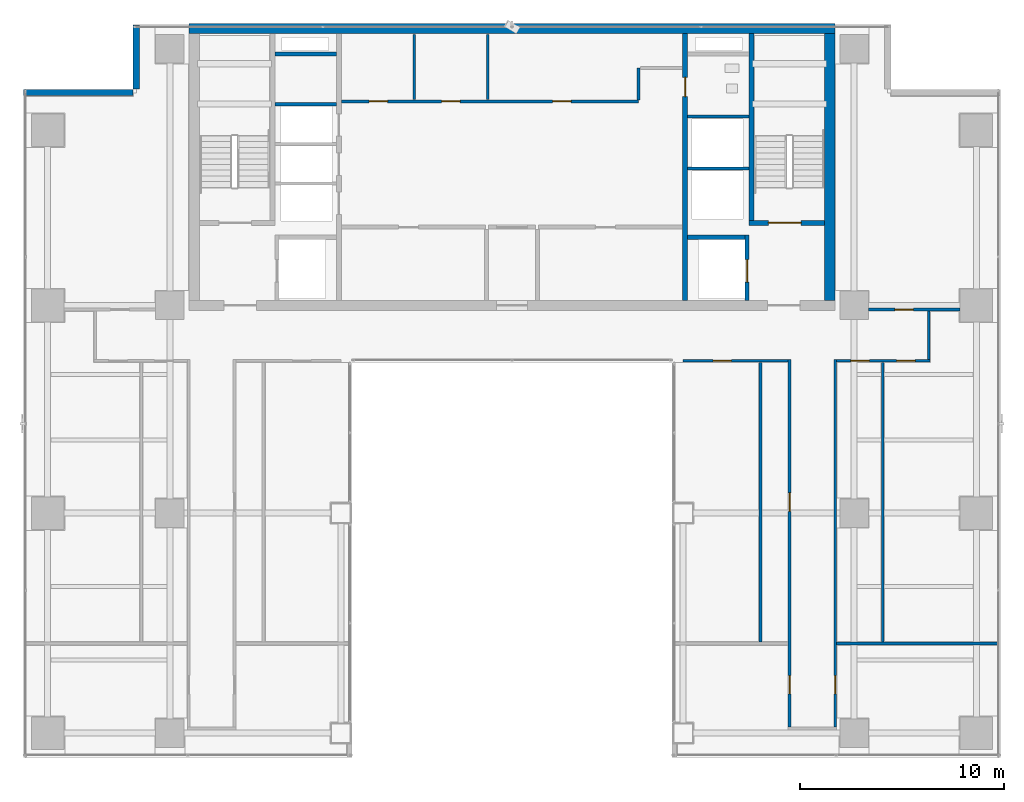
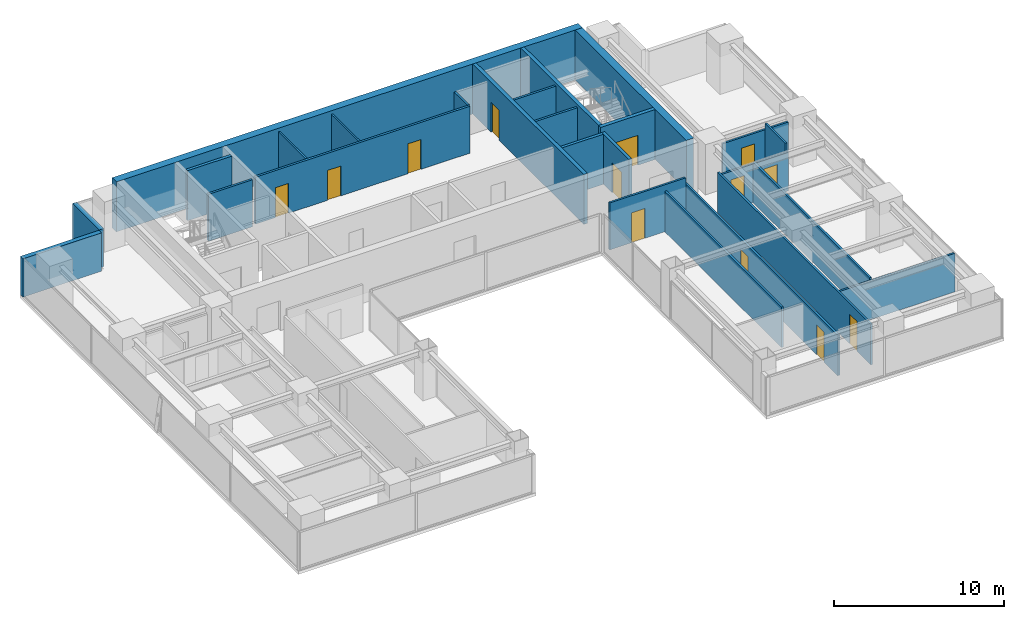
# One storey, part 25 of 29: 26 walls, 13 doors, 13 openings.
"""IFC4 building model written with IfcOpenShell, lengths in metres."""

from ifc_helpers import new_model, si_unit, direction, frame, frame_2d, origin, place, context, subcontext, project, spatial, rectangle, extrude, source, transform, mapped, material, layer, layer_set, type_object, element, fill, save


model = new_model("IFC4")

# Units and contexts
model_context = context("Model", 3, precision=1e-05, world=origin(), true_north=direction((0.0, 1.0)))
body_context = subcontext(model_context, "Body", "Model", "MODEL_VIEW")
ifc_project = project(units=[si_unit("LENGTHUNIT", "METRE"), si_unit("AREAUNIT", "SQUARE_METRE"), si_unit("VOLUMEUNIT", "CUBIC_METRE"), si_unit("PLANEANGLEUNIT", "RADIAN"), si_unit("MASSUNIT", "GRAM", prefix="KILO")], contexts=[model_context])

# Site, building, storey
site_placement = place(None, origin())
site = spatial("IfcSite", under=ifc_project, at=site_placement, CompositionType="ELEMENT")
building_placement = place(site_placement, origin())
building = spatial("IfcBuilding", under=site, at=building_placement, Name="Sumidabori Civic Tower", CompositionType="ELEMENT")
storey_placement = place(building_placement, frame((0.0, 0.0, 203.60009765625)))
storey = spatial("IfcBuildingStorey", under=building, at=storey_placement, Name="L52", CompositionType="ELEMENT", Elevation=203.60009765625)

# Walls
ifc_material_1 = material(Name="Concrete C50/60", Category="concrete")
ifc_layer_1 = layer(ifc_material_1, 0.199951171875, Name="Concrete C50/60")
ifc_layer_set_1 = layer_set([ifc_layer_1], Name="Concrete C50/60")
wall_type_1 = type_object("IfcWallType", Name="WL-SHAFT-200", PredefinedType="SHEAR", material=ifc_layer_set_1)
shared_shape_1 = source(origin(), body_context, "Body", "SweptSolid", [
    extrude(rectangle(XDim=2.824951171875, YDim=0.199951171875, at=frame_2d((1.41259765625, 0.0))), origin(), (0.0, 0.0, 1.0), 3.599853515625),
])
wall_1_placement = place(storey_placement, frame((8.625, 13.550048828125, 0.0), z_axis=(0.0, 0.0, 1.0), x_axis=(1.0, 0.0, 0.0)))
element("IfcWall", 1, at=wall_1_placement, inside=storey, type_object=wall_type_1, Name="Core Shear Wall L52 EL2-N", PredefinedType="SHEAR", context=body_context, shape_type="MappedRepresentation", body=[
    mapped(shared_shape_1, transform((0.0, 0.0, 0.0), x_axis=(1.0, 0.0, 0.0), y_axis=(0.0, 1.0, 0.0), z_axis=(0.0, 0.0, 1.0), scale=1.0)),
])
shared_shape_2 = source(origin(), body_context, "Body", "SweptSolid", [
    extrude(rectangle(XDim=3.02001953125, YDim=0.199951171875, at=frame_2d((1.510009765625, 0.0))), origin(), (0.0, 0.0, 1.0), 3.599853515625),
])
wall_2_placement = place(storey_placement, frame((-11.64501953125, 22.550048828125, 0.0), z_axis=(0.0, 0.0, 1.0), x_axis=(1.0, 0.0, 0.0)))
element("IfcWall", 2, at=wall_2_placement, inside=storey, type_object=wall_type_1, Name="Core Shear Wall L52 RIS1-S", PredefinedType="SHEAR", context=body_context, shape_type="MappedRepresentation", body=[
    mapped(shared_shape_2, transform((0.0, 0.0, 0.0), x_axis=(1.0, 0.0, 0.0), y_axis=(0.0, 1.0, 0.0), z_axis=(0.0, 0.0, 1.0), scale=1.0)),
])
ifc_layer_2 = layer(ifc_material_1, 0.5, Name="Concrete C50/60")
ifc_layer_set_2 = layer_set([ifc_layer_2], Name="Concrete C50/60")
wall_type_2 = type_object("IfcWallType", Name="WL-CORE-500", PredefinedType="SHEAR", material=ifc_layer_set_2)
shared_shape_3 = source(origin(), body_context, "Body", "SweptSolid", [
    extrude(rectangle(XDim=31.7001953125, YDim=0.5, at=frame_2d((15.85009765625, 0.0))), origin(), (0.0, 0.0, 1.0), 3.599853515625),
])
wall_3_placement = place(storey_placement, frame((-15.85009765625, 23.800048828125, 0.0), z_axis=(0.0, 0.0, 1.0), x_axis=(1.0, 0.0, 0.0)))
element("IfcWall", 3, at=wall_3_placement, inside=storey, type_object=wall_type_2, Name="Core Shear Wall L52 N", PredefinedType="SHEAR", context=body_context, shape_type="MappedRepresentation", body=[
    mapped(shared_shape_3, transform((0.0, 0.0, 0.0), x_axis=(1.0, 0.0, 0.0), y_axis=(0.0, 1.0, 0.0), z_axis=(0.0, 0.0, 1.0), scale=1.0)),
])
shared_shape_4 = source(origin(), body_context, "Body", "SweptSolid", [
    extrude(rectangle(XDim=13.10009765625, YDim=0.5, at=frame_2d((6.550048828125, 0.0))), origin(), (0.0, 0.0, 1.0), 3.599853515625),
])
wall_4_placement = place(storey_placement, frame((15.60009765625, 10.449951171875, 0.0), z_axis=(0.0, 0.0, 1.0), x_axis=(0.0, 1.0, 0.0)))
element("IfcWall", 4, at=wall_4_placement, inside=storey, type_object=wall_type_2, Name="Core Shear Wall L52 E", PredefinedType="SHEAR", context=body_context, shape_type="MappedRepresentation", body=[
    mapped(shared_shape_4, transform((0.0, 0.0, 0.0), x_axis=(1.0, 0.0, 0.0), y_axis=(0.0, 1.0, 0.0), z_axis=(0.0, 0.0, 1.0), scale=1.0)),
])

# Wall, opening, door
ifc_layer_3 = layer(ifc_material_1, 0.25, Name="Concrete C50/60")
ifc_layer_set_3 = layer_set([ifc_layer_3], Name="Concrete C50/60")
wall_type_3 = type_object("IfcWallType", Name="WL-SHAFT-250", PredefinedType="SHEAR", material=ifc_layer_set_3)
shared_shape_5 = source(origin(), body_context, "Body", "SweptSolid", [
    extrude(rectangle(XDim=13.10009765625, YDim=0.25, at=frame_2d((6.550048828125, 0.0))), origin(), (0.0, 0.0, 1.0), 3.599853515625),
])
wall_5_placement = place(storey_placement, frame((8.5, 10.449951171875, 0.0), z_axis=(0.0, 0.0, 1.0), x_axis=(0.0, 1.0, 0.0)))
wall_5 = element("IfcWall", 5, at=wall_5_placement, inside=storey, type_object=wall_type_3, Name="Core Shear Wall L52 WEB-E", PredefinedType="SHEAR", context=body_context, shape_type="MappedRepresentation", body=[
    mapped(shared_shape_5, transform((0.0, 0.0, 0.0), x_axis=(1.0, 0.0, 0.0), y_axis=(0.0, 1.0, 0.0), z_axis=(0.0, 0.0, 1.0), scale=1.0)),
])
opening_1_placement = place(wall_5_placement, frame((10.0, 0.0, 0.0)))
opening_1 = element("IfcOpeningElement", 6, at=opening_1_placement, cuts=wall_5, Name="Opening DR-2", PredefinedType="OPENING", context=body_context, shape_type="SweptSolid", body=[
    extrude(rectangle(XDim=0.949951171875, YDim=2.14990234375, at=frame_2d((0.47509765625, 1.074951171875))), frame((0.0, 0.136962890625, 0.0), z_axis=(0.0, -1.0, 0.0), x_axis=(1.0, 0.0, 0.0)), (0.0, 0.0, 1.0), 0.27392578125),
])
ifc_material_2 = material(Name="Japanese Hinoki Timber", Category="wood")
door_type_1 = type_object("IfcDoorType", Name="DR-INT-950", OperationType="NOTDEFINED", PredefinedType="DOOR", material=ifc_material_2)
shared_shape_6 = source(origin(), body_context, "Body", "SweptSolid", [
    extrude(rectangle(XDim=0.949951171875, YDim=2.14990234375, at=frame_2d((0.47509765625, 1.074951171875))), frame((0.0, 0.02490234375, 0.0), z_axis=(0.0, -1.0, 0.0), x_axis=(1.0, 0.0, 0.0)), (0.0, 0.0, 1.0), 0.050048828125),
])
door_1_placement = place(opening_1_placement, origin())
door_1 = element("IfcDoor", 7, at=door_1_placement, inside=storey, type_object=door_type_1, Name="Door DR:L52:WC-ACC", OperationType="SINGLE_SWING_RIGHT", OverallHeight=2.14990234375, OverallWidth=0.949951171875, PredefinedType="DOOR", context=body_context, shape_type="MappedRepresentation", body=[
    mapped(shared_shape_6, transform((0.0, 0.0, 0.0), x_axis=(1.0, 0.0, 0.0), y_axis=(0.0, 1.0, 0.0), z_axis=(0.0, 0.0, 1.0), scale=1.0)),
])
fill(opening_1, door_1)

shared_shape_7 = source(origin(), body_context, "Body", "SweptSolid", [
    extrude(rectangle(XDim=3.705078125, YDim=0.25, at=frame_2d((1.8525390625, 0.0))), origin(), (0.0, 0.0, 1.0), 3.599853515625),
])
wall_6_placement = place(storey_placement, frame((11.64501953125, 14.25, 0.0), z_axis=(0.0, 0.0, 1.0), x_axis=(1.0, 0.0, 0.0)))
wall_6 = element("IfcWall", 8, at=wall_6_placement, inside=storey, type_object=wall_type_3, Name="Core Shear Wall L52 ST2-S", PredefinedType="SHEAR", context=body_context, shape_type="MappedRepresentation", body=[
    mapped(shared_shape_7, transform((0.0, 0.0, 0.0), x_axis=(1.0, 0.0, 0.0), y_axis=(0.0, 1.0, 0.0), z_axis=(0.0, 0.0, 1.0), scale=1.0)),
])
opening_2_placement = place(wall_6_placement, frame((0.949951171875, 0.0, 0.0)))
opening_2 = element("IfcOpeningElement", 9, at=opening_2_placement, cuts=wall_6, Name="Opening DR-FD4", PredefinedType="OPENING", context=body_context, shape_type="SweptSolid", body=[
    extrude(rectangle(XDim=1.60009765625, YDim=2.14990234375, at=frame_2d((0.800048828125, 1.074951171875))), frame((0.0, 0.136962890625, 0.0), z_axis=(0.0, -1.0, 0.0), x_axis=(1.0, 0.0, 0.0)), (0.0, 0.0, 1.0), 0.27392578125),
])
ifc_material_3 = material(Name="Steel SN490", Category="steel")
door_type_2 = type_object("IfcDoorType", Name="DR-FD4", OperationType="DOUBLE_DOOR_SINGLE_SWING", PredefinedType="DOOR", material=ifc_material_3)
shared_shape_8 = source(origin(), body_context, "Body", "SweptSolid", [
    extrude(rectangle(XDim=1.60009765625, YDim=2.14990234375, at=frame_2d((0.800048828125, 1.074951171875))), frame((0.0, 0.02490234375, 0.0), z_axis=(0.0, -1.0, 0.0), x_axis=(1.0, 0.0, 0.0)), (0.0, 0.0, 1.0), 0.050048828125),
])
door_2_placement = place(opening_2_placement, origin())
door_2 = element("IfcDoor", 10, at=door_2_placement, inside=storey, type_object=door_type_2, Name="Door DR:L52:ST2", OperationType="DOUBLE_DOOR_SINGLE_SWING", OverallHeight=2.14990234375, OverallWidth=1.60009765625, PredefinedType="DOOR", context=body_context, shape_type="MappedRepresentation", body=[
    mapped(shared_shape_8, transform((0.0, 0.0, 0.0), x_axis=(1.0, 0.0, 0.0), y_axis=(0.0, 1.0, 0.0), z_axis=(0.0, 0.0, 1.0), scale=1.0)),
])
fill(opening_2, door_2)

# Wall
shared_shape_9 = source(origin(), body_context, "Body", "SweptSolid", [
    extrude(rectangle(XDim=9.175048828125, YDim=0.25, at=frame_2d((4.58740234375, 0.0))), origin(), (0.0, 0.0, 1.0), 3.599853515625),
])
wall_7_placement = place(storey_placement, frame((11.77001953125, 14.375, 0.0), z_axis=(0.0, 0.0, 1.0), x_axis=(0.0, 1.0, 0.0)))
element("IfcWall", 11, at=wall_7_placement, inside=storey, type_object=wall_type_3, Name="Core Shear Wall L52 ST2-W", PredefinedType="SHEAR", context=body_context, shape_type="MappedRepresentation", body=[
    mapped(shared_shape_9, transform((0.0, 0.0, 0.0), x_axis=(1.0, 0.0, 0.0), y_axis=(0.0, 1.0, 0.0), z_axis=(0.0, 0.0, 1.0), scale=1.0)),
])

# Wall, opening, door
shared_shape_10 = source(origin(), body_context, "Body", "SweptSolid", [
    extrude(rectangle(XDim=3.199951171875, YDim=0.199951171875, at=frame_2d((1.60009765625, 0.0))), origin(), (0.0, 0.0, 1.0), 3.599853515625),
])
wall_8_placement = place(storey_placement, frame((11.550048828125, 10.449951171875, 0.0), z_axis=(0.0, 0.0, 1.0), x_axis=(0.0, 1.0, 0.0)))
wall_8 = element("IfcWall", 12, at=wall_8_placement, inside=storey, type_object=wall_type_1, Name="Core Shear Wall L52 EL2-E", PredefinedType="SHEAR", context=body_context, shape_type="MappedRepresentation", body=[
    mapped(shared_shape_10, transform((0.0, 0.0, 0.0), x_axis=(1.0, 0.0, 0.0), y_axis=(0.0, 1.0, 0.0), z_axis=(0.0, 0.0, 1.0), scale=1.0)),
])
opening_3_placement = place(wall_8_placement, frame((0.89990234375, 0.0, 0.0)))
opening_3 = element("IfcOpeningElement", 13, at=opening_3_placement, cuts=wall_8, Name="Opening LD-2", PredefinedType="OPENING", context=body_context, shape_type="SweptSolid", body=[
    extrude(rectangle(XDim=1.10009765625, YDim=2.14990234375, at=frame_2d((0.550048828125, 1.074951171875))), frame((0.0, 0.11181640625, 0.0), z_axis=(0.0, -1.0, 0.0), x_axis=(1.0, 0.0, 0.0)), (0.0, 0.0, 1.0), 0.223876953125),
])
ifc_material_4 = material(Name="Stainless Steel Hairline Finish", Category="steel")
door_type_3 = type_object("IfcDoorType", Name="DR-LD2", OperationType="DOUBLE_DOOR_SLIDING", PredefinedType="DOOR", material=ifc_material_4)
shared_shape_11 = source(origin(), body_context, "Body", "SweptSolid", [
    extrude(rectangle(XDim=1.10009765625, YDim=2.14990234375, at=frame_2d((0.550048828125, 1.074951171875))), frame((0.0, 0.02490234375, 0.0), z_axis=(0.0, -1.0, 0.0), x_axis=(1.0, 0.0, 0.0)), (0.0, 0.0, 1.0), 0.050048828125),
])
door_3_placement = place(opening_3_placement, origin())
door_3 = element("IfcDoor", 14, at=door_3_placement, inside=storey, type_object=door_type_3, Name="Door DR:L52:LD-EL2", OperationType="DOUBLE_DOOR_SLIDING", OverallHeight=2.14990234375, OverallWidth=1.10009765625, PredefinedType="DOOR", context=body_context, shape_type="MappedRepresentation", body=[
    mapped(shared_shape_11, transform((0.0, 0.0, 0.0), x_axis=(1.0, 0.0, 0.0), y_axis=(0.0, 1.0, 0.0), z_axis=(0.0, 0.0, 1.0), scale=1.0)),
])
fill(opening_3, door_3)

# Walls
ifc_material_5 = material(Name="Precast concrete C40/50", Category="concrete")
ifc_layer_4 = layer(ifc_material_5, 0.300048828125, Name="Precast concrete C40/50")
ifc_layer_set_4 = layer_set([ifc_layer_4], Name="Precast concrete C40/50")
wall_type_4 = type_object("IfcWallType", Name="WL-EXT-POD300", PredefinedType="STANDARD", material=ifc_layer_set_4)
shared_shape_12 = source(origin(), body_context, "Body", "SweptSolid", [
    extrude(rectangle(XDim=5.35986328125, YDim=0.300048828125, at=frame_2d((2.679931640625, 0.0))), origin(), (0.0, 0.0, 1.0), 2.760009765625),
])
wall_9_placement = place(storey_placement, frame((-18.6201171875, 20.64990234375, 0.0), z_axis=(0.0, 0.0, 1.0), x_axis=(-1.0, 0.0, 0.0)))
element("IfcWall", 15, at=wall_9_placement, inside=storey, type_object=wall_type_4, Name="Notched Corner Spandrel Band L52-15", PredefinedType="STANDARD", context=body_context, shape_type="MappedRepresentation", body=[
    mapped(shared_shape_12, transform((0.0, 0.0, 0.0), x_axis=(1.0, 0.0, 0.0), y_axis=(0.0, 1.0, 0.0), z_axis=(0.0, 0.0, 1.0), scale=1.0)),
])
shared_shape_13 = source(origin(), body_context, "Body", "SweptSolid", [
    extrude(rectangle(XDim=3.159912109375, YDim=0.300048828125, at=frame_2d((1.580078125, 0.0))), origin(), (0.0, 0.0, 1.0), 2.760009765625),
])
wall_10_placement = place(storey_placement, frame((-18.449951171875, 23.97998046875, 0.0), z_axis=(0.0, 0.0, 1.0), x_axis=(0.0, -1.0, 0.0)))
element("IfcWall", 16, at=wall_10_placement, inside=storey, type_object=wall_type_4, Name="Notched Corner Spandrel Band L52-14", PredefinedType="STANDARD", context=body_context, shape_type="MappedRepresentation", body=[
    mapped(shared_shape_13, transform((0.0, 0.0, 0.0), x_axis=(1.0, 0.0, 0.0), y_axis=(0.0, 1.0, 0.0), z_axis=(0.0, 0.0, 1.0), scale=1.0)),
])
ifc_material_6 = material(Name="Gypsum Plasterboard Acoustic Partition")
ifc_layer_5 = layer(ifc_material_6, 0.14990234375, Name="Gypsum Plasterboard Acoustic Partition")
ifc_layer_set_5 = layer_set([ifc_layer_5], Name="Gypsum Plasterboard Acoustic Partition")
wall_type_5 = type_object("IfcWallType", Name="WL-PART-150", PredefinedType="PARTITIONING", material=ifc_layer_set_5)
shared_shape_14 = source(origin(), body_context, "Body", "SweptSolid", [
    extrude(rectangle(XDim=3.010009765625, YDim=0.14990234375, at=frame_2d((1.5048828125, 0.0))), origin(), (0.0, 0.0, 1.0), 3.3798828125),
])
for number, where, z_axis, x_axis, name in (
    (17, (-11.639892578125, 20.080078125, 0.0), (0.0, 0.0, 1.0), (1.0, 0.0, 0.0), "Interior Partition WL:L52:DIV-PLH3"),
    (18, (8.6298828125, 16.919921875, 0.0), (0.0, 0.0, 1.0), (1.0, 0.0, 0.0), "Interior Partition WL:L52:DIV-OBS1"),
    (19, (8.6298828125, 19.469970703125, 0.0), (0.0, 0.0, 1.0), (1.0, 0.0, 0.0), "Interior Partition WL:L52:DIV-OBS2"),
):
    element("IfcWall", number, at=place(storey_placement, frame(where, z_axis=z_axis, x_axis=x_axis)), inside=storey, type_object=wall_type_5, Name=name, PredefinedType="PARTITIONING", context=body_context, shape_type="MappedRepresentation", body=[
        mapped(shared_shape_14, transform((0.0, 0.0, 0.0), x_axis=(1.0, 0.0, 0.0), y_axis=(0.0, 1.0, 0.0), z_axis=(0.0, 0.0, 1.0), scale=1.0)),
    ])

# Wall, openings, doors
shared_shape_15 = source(origin(), body_context, "Body", "SweptSolid", [
    extrude(rectangle(XDim=14.590087890625, YDim=0.14990234375, at=frame_2d((7.294921875, 0.0))), origin(), (0.0, 0.0, 1.0), 3.3798828125),
])
wall_11_placement = place(storey_placement, frame((-8.3701171875, 20.219970703125, 0.0), z_axis=(0.0, 0.0, 1.0), x_axis=(1.0, 0.0, 0.0)))
wall_11 = element("IfcWall", 20, at=wall_11_placement, inside=storey, type_object=wall_type_5, Name="Interior Partition WL:L52:CBAND-M", PredefinedType="PARTITIONING", context=body_context, shape_type="MappedRepresentation", body=[
    mapped(shared_shape_15, transform((0.0, 0.0, 0.0), x_axis=(1.0, 0.0, 0.0), y_axis=(0.0, 1.0, 0.0), z_axis=(0.0, 0.0, 1.0), scale=1.0)),
])
opening_4_placement = place(wall_11_placement, frame((1.360107421875, 0.0, 0.0)))
opening_4 = element("IfcOpeningElement", 21, at=opening_4_placement, cuts=wall_11, Name="Opening DR-1", PredefinedType="OPENING", context=body_context, shape_type="SweptSolid", body=[
    extrude(rectangle(XDim=0.89990234375, YDim=2.14990234375, at=frame_2d((0.449951171875, 1.074951171875))), frame((0.0, 0.0869140625, 0.0), z_axis=(0.0, -1.0, 0.0), x_axis=(1.0, 0.0, 0.0)), (0.0, 0.0, 1.0), 0.173828125),
])
opening_5_placement = place(wall_11_placement, frame((4.919921875, 0.0, 0.0)))
opening_5 = element("IfcOpeningElement", 22, at=opening_5_placement, cuts=wall_11, Name="Opening DR-1", PredefinedType="OPENING", context=body_context, shape_type="SweptSolid", body=[
    extrude(rectangle(XDim=0.89990234375, YDim=2.14990234375, at=frame_2d((0.449951171875, 1.074951171875))), frame((0.0, 0.0869140625, 0.0), z_axis=(0.0, -1.0, 0.0), x_axis=(1.0, 0.0, 0.0)), (0.0, 0.0, 1.0), 0.173828125),
])
opening_6_placement = place(wall_11_placement, frame((10.3701171875, 0.0, 0.0)))
opening_6 = element("IfcOpeningElement", 23, at=opening_6_placement, cuts=wall_11, Name="Opening DR-1", PredefinedType="OPENING", context=body_context, shape_type="SweptSolid", body=[
    extrude(rectangle(XDim=0.89990234375, YDim=2.14990234375, at=frame_2d((0.449951171875, 1.074951171875))), frame((0.0, 0.0869140625, 0.0), z_axis=(0.0, -1.0, 0.0), x_axis=(1.0, 0.0, 0.0)), (0.0, 0.0, 1.0), 0.173828125),
])
door_type_4 = type_object("IfcDoorType", Name="DR-INT-900", OperationType="NOTDEFINED", PredefinedType="DOOR", material=ifc_material_2)
shared_shape_16 = source(origin(), body_context, "Body", "SweptSolid", [
    extrude(rectangle(XDim=0.89990234375, YDim=2.14990234375, at=frame_2d((0.449951171875, 1.074951171875))), frame((0.0, 0.02490234375, 0.0), z_axis=(0.0, -1.0, 0.0), x_axis=(1.0, 0.0, 0.0)), (0.0, 0.0, 1.0), 0.050048828125),
])
door_4_placement = place(opening_4_placement, origin())
door_4 = element("IfcDoor", 24, at=door_4_placement, inside=storey, type_object=door_type_4, Name="Door DR:L52:CB-1", OperationType="SINGLE_SWING_LEFT", OverallHeight=2.14990234375, OverallWidth=0.89990234375, PredefinedType="DOOR", context=body_context, shape_type="MappedRepresentation", body=[
    mapped(shared_shape_16, transform((0.0, 0.0, 0.0), x_axis=(1.0, 0.0, 0.0), y_axis=(0.0, 1.0, 0.0), z_axis=(0.0, 0.0, 1.0), scale=1.0)),
])
fill(opening_4, door_4)
door_5_placement = place(opening_5_placement, origin())
door_5 = element("IfcDoor", 25, at=door_5_placement, inside=storey, type_object=door_type_4, Name="Door DR:L52:CB-2", OperationType="SINGLE_SWING_RIGHT", OverallHeight=2.14990234375, OverallWidth=0.89990234375, PredefinedType="DOOR", context=body_context, shape_type="MappedRepresentation", body=[
    mapped(shared_shape_16, transform((0.0, 0.0, 0.0), x_axis=(1.0, 0.0, 0.0), y_axis=(0.0, 1.0, 0.0), z_axis=(0.0, 0.0, 1.0), scale=1.0)),
])
fill(opening_5, door_5)
door_6_placement = place(opening_6_placement, origin())
door_6 = element("IfcDoor", 26, at=door_6_placement, inside=storey, type_object=door_type_4, Name="Door DR:L52:CB-3", OperationType="SINGLE_SWING_LEFT", OverallHeight=2.14990234375, OverallWidth=0.89990234375, PredefinedType="DOOR", context=body_context, shape_type="MappedRepresentation", body=[
    mapped(shared_shape_16, transform((0.0, 0.0, 0.0), x_axis=(1.0, 0.0, 0.0), y_axis=(0.0, 1.0, 0.0), z_axis=(0.0, 0.0, 1.0), scale=1.0)),
])
fill(opening_6, door_6)

# Walls
shared_shape_17 = source(origin(), body_context, "Body", "SweptSolid", [
    extrude(rectangle(XDim=1.550048828125, YDim=0.14990234375, at=frame_2d((0.77490234375, 0.0))), origin(), (0.0, 0.0, 1.0), 3.3798828125),
])
wall_12_placement = place(storey_placement, frame((6.219970703125, 20.300048828125, 0.0), z_axis=(0.0, 0.0, 1.0), x_axis=(0.0, 1.0, 0.0)))
element("IfcWall", 27, at=wall_12_placement, inside=storey, type_object=wall_type_5, Name="Interior Partition WL:L52:CBAND-ME1", PredefinedType="PARTITIONING", context=body_context, shape_type="MappedRepresentation", body=[
    mapped(shared_shape_17, transform((0.0, 0.0, 0.0), x_axis=(1.0, 0.0, 0.0), y_axis=(0.0, 1.0, 0.0), z_axis=(0.0, 0.0, 1.0), scale=1.0)),
])
ifc_layer_6 = layer(ifc_material_6, 0.1201171875, Name="Gypsum Plasterboard Acoustic Partition")
ifc_layer_set_6 = layer_set([ifc_layer_6], Name="Gypsum Plasterboard Acoustic Partition")
wall_type_6 = type_object("IfcWallType", Name="WL-PART-120", PredefinedType="PARTITIONING", material=ifc_layer_set_6)
shared_shape_18 = source(origin(), body_context, "Body", "SweptSolid", [
    extrude(rectangle(XDim=3.18994140625, YDim=0.1201171875, at=frame_2d((1.594970703125, 0.0))), origin(), (0.0, 0.0, 1.0), 3.3798828125),
])
for number, where, z_axis, x_axis, name in (
    (28, (-4.800048828125, 20.320068359375, 0.0), (0.0, 0.0, 1.0), (0.0, 1.0, 0.0), "Interior Partition WL:L52:LV8-S1"),
    (29, (-1.199951171875, 20.320068359375, 0.0), (0.0, 0.0, 1.0), (0.0, 1.0, 0.0), "Interior Partition WL:L52:LV8-S2"),
):
    element("IfcWall", number, at=place(storey_placement, frame(where, z_axis=z_axis, x_axis=x_axis)), inside=storey, type_object=wall_type_6, Name=name, PredefinedType="PARTITIONING", context=body_context, shape_type="MappedRepresentation", body=[
        mapped(shared_shape_18, transform((0.0, 0.0, 0.0), x_axis=(1.0, 0.0, 0.0), y_axis=(0.0, 1.0, 0.0), z_axis=(0.0, 0.0, 1.0), scale=1.0)),
    ])

# Wall, openings, doors
ifc_layer_7 = layer(ifc_material_6, 0.135009765625, Name="Gypsum Plasterboard Acoustic Partition")
ifc_layer_set_7 = layer_set([ifc_layer_7], Name="Gypsum Plasterboard Acoustic Partition")
wall_type_7 = type_object("IfcWallType", Name="WL-PART-135", PredefinedType="PARTITIONING", material=ifc_layer_set_7)
shared_shape_19 = source(origin(), body_context, "Body", "SweptSolid", [
    extrude(rectangle(XDim=4.599853515625, YDim=0.135009765625, at=frame_2d((2.2998046875, 0.0))), origin(), (0.0, 0.0, 1.0), 2.764892578125),
])
wall_13_placement = place(storey_placement, frame((15.93505859375, 7.482421875, 0.0), z_axis=(0.0, 0.0, 1.0), x_axis=(1.0, 0.0, 0.0)))
wall_13 = element("IfcWall", 30, at=wall_13_placement, inside=storey, type_object=wall_type_7, Name="Interior Partition WL:L52:CORR-SEO", PredefinedType="PARTITIONING", context=body_context, shape_type="MappedRepresentation", body=[
    mapped(shared_shape_19, transform((0.0, 0.0, 0.0), x_axis=(1.0, 0.0, 0.0), y_axis=(0.0, 1.0, 0.0), z_axis=(0.0, 0.0, 1.0), scale=1.0)),
])
opening_7_placement = place(wall_13_placement, frame((2.956298828125, 0.0, 0.0)))
opening_7 = element("IfcOpeningElement", 31, at=opening_7_placement, cuts=wall_13, Name="Opening DR-1", PredefinedType="OPENING", context=body_context, shape_type="SweptSolid", body=[
    extrude(rectangle(XDim=0.89990234375, YDim=2.14990234375, at=frame_2d((0.449951171875, 1.074951171875))), frame((0.0, 0.07958984375, 0.0), z_axis=(0.0, -1.0, 0.0), x_axis=(1.0, 0.0, 0.0)), (0.0, 0.0, 1.0), 0.158935546875),
])
opening_8_placement = place(wall_13_placement, frame((0.708740234375, 0.0, 0.0)))
opening_8 = element("IfcOpeningElement", 32, at=opening_8_placement, cuts=wall_13, Name="Opening DR-1", PredefinedType="OPENING", context=body_context, shape_type="SweptSolid", body=[
    extrude(rectangle(XDim=0.89990234375, YDim=2.14990234375, at=frame_2d((0.449951171875, 1.074951171875))), frame((0.0, 0.07958984375, 0.0), z_axis=(0.0, -1.0, 0.0), x_axis=(1.0, 0.0, 0.0)), (0.0, 0.0, 1.0), 0.158935546875),
])
door_7_placement = place(opening_7_placement, origin())
door_7 = element("IfcDoor", 33, at=door_7_placement, inside=storey, type_object=door_type_4, Name="Door DR:L52:D04", OperationType="SINGLE_SWING_RIGHT", OverallHeight=2.14990234375, OverallWidth=0.89990234375, PredefinedType="DOOR", context=body_context, shape_type="MappedRepresentation", body=[
    mapped(shared_shape_16, transform((0.0, 0.0, 0.0), x_axis=(1.0, 0.0, 0.0), y_axis=(0.0, 1.0, 0.0), z_axis=(0.0, 0.0, 1.0), scale=1.0)),
])
fill(opening_7, door_7)
door_8_placement = place(opening_8_placement, origin())
door_8 = element("IfcDoor", 34, at=door_8_placement, inside=storey, type_object=door_type_4, Name="Door DR:L52:D08", OperationType="SINGLE_SWING_RIGHT", OverallHeight=2.14990234375, OverallWidth=0.89990234375, PredefinedType="DOOR", context=body_context, shape_type="MappedRepresentation", body=[
    mapped(shared_shape_16, transform((0.0, 0.0, 0.0), x_axis=(1.0, 0.0, 0.0), y_axis=(0.0, 1.0, 0.0), z_axis=(0.0, 0.0, 1.0), scale=1.0)),
])
fill(opening_8, door_8)

# Wall, opening, door
shared_shape_20 = source(origin(), body_context, "Body", "SweptSolid", [
    extrude(rectangle(XDim=5.1650390625, YDim=0.135009765625, at=frame_2d((2.58251953125, 0.0))), origin(), (0.0, 0.0, 1.0), 3.3798828125),
])
wall_14_placement = place(storey_placement, frame((8.39990234375, 7.482421875, 0.0), z_axis=(0.0, 0.0, 1.0), x_axis=(1.0, 0.0, 0.0)))
wall_14 = element("IfcWall", 35, at=wall_14_placement, inside=storey, type_object=wall_type_7, Name="Interior Partition WL:L52:CORR-SEI", PredefinedType="PARTITIONING", context=body_context, shape_type="MappedRepresentation", body=[
    mapped(shared_shape_20, transform((0.0, 0.0, 0.0), x_axis=(1.0, 0.0, 0.0), y_axis=(0.0, 1.0, 0.0), z_axis=(0.0, 0.0, 1.0), scale=1.0)),
])
opening_9_placement = place(wall_14_placement, frame((1.476318359375, 0.0, 0.0)))
opening_9 = element("IfcOpeningElement", 36, at=opening_9_placement, cuts=wall_14, Name="Opening DR-1", PredefinedType="OPENING", context=body_context, shape_type="SweptSolid", body=[
    extrude(rectangle(XDim=0.89990234375, YDim=2.14990234375, at=frame_2d((0.449951171875, 1.074951171875))), frame((0.0, 0.07958984375, 0.0), z_axis=(0.0, -1.0, 0.0), x_axis=(1.0, 0.0, 0.0)), (0.0, 0.0, 1.0), 0.158935546875),
])
door_9_placement = place(opening_9_placement, origin())
door_9 = element("IfcDoor", 37, at=door_9_placement, inside=storey, type_object=door_type_4, Name="Door DR:L52:D07", OperationType="SINGLE_SWING_LEFT", OverallHeight=2.14990234375, OverallWidth=0.89990234375, PredefinedType="DOOR", context=body_context, shape_type="MappedRepresentation", body=[
    mapped(shared_shape_16, transform((0.0, 0.0, 0.0), x_axis=(1.0, 0.0, 0.0), y_axis=(0.0, 1.0, 0.0), z_axis=(0.0, 0.0, 1.0), scale=1.0)),
])
fill(opening_9, door_9)

# Walls
shared_shape_21 = source(origin(), body_context, "Body", "SweptSolid", [
    extrude(rectangle(XDim=2.37255859375, YDim=0.135009765625, at=frame_2d((1.186279296875, 0.0))), origin(), (0.0, 0.0, 1.0), 3.3798828125),
])
wall_15_placement = place(storey_placement, frame((20.467529296875, 7.554931640625, 0.0), z_axis=(0.0, 0.0, 1.0), x_axis=(0.0, 1.0, 0.0)))
element("IfcWall", 38, at=wall_15_placement, inside=storey, type_object=wall_type_7, Name="Interior Partition WL:L52:CORR-VNE", PredefinedType="PARTITIONING", context=body_context, shape_type="MappedRepresentation", body=[
    mapped(shared_shape_21, transform((0.0, 0.0, 0.0), x_axis=(1.0, 0.0, 0.0), y_axis=(0.0, 1.0, 0.0), z_axis=(0.0, 0.0, 1.0), scale=1.0)),
])
shared_shape_22 = source(origin(), body_context, "Body", "SweptSolid", [
    extrude(rectangle(XDim=7.91015625, YDim=0.135009765625, at=frame_2d((3.955078125, 0.0))), origin(), (0.0, 0.0, 1.0), 2.764892578125),
])
wall_16_placement = place(storey_placement, frame((15.93994140625, -6.39990234375, 0.0), z_axis=(0.0, 0.0, 1.0), x_axis=(1.0, 0.0, 0.0)))
element("IfcWall", 39, at=wall_16_placement, inside=storey, type_object=wall_type_7, Name="Interior Partition WL:L52:BAND-YE-2", PredefinedType="PARTITIONING", context=body_context, shape_type="MappedRepresentation", body=[
    mapped(shared_shape_22, transform((0.0, 0.0, 0.0), x_axis=(1.0, 0.0, 0.0), y_axis=(0.0, 1.0, 0.0), z_axis=(0.0, 0.0, 1.0), scale=1.0)),
])

# Wall, opening, door
shared_shape_23 = source(origin(), body_context, "Body", "SweptSolid", [
    extrude(rectangle(XDim=4.47998046875, YDim=0.135009765625, at=frame_2d((2.239990234375, 0.0))), origin(), (0.0, 0.0, 1.0), 2.914794921875),
])
wall_17_placement = place(storey_placement, frame((17.510009765625, 10.0, 0.0), z_axis=(0.0, 0.0, 1.0), x_axis=(1.0, 0.0, 0.0)))
wall_17 = element("IfcWall", 40, at=wall_17_placement, inside=storey, type_object=wall_type_7, Name="Interior Partition WL:L52:FLK-NE", PredefinedType="PARTITIONING", context=body_context, shape_type="MappedRepresentation", body=[
    mapped(shared_shape_23, transform((0.0, 0.0, 0.0), x_axis=(1.0, 0.0, 0.0), y_axis=(0.0, 1.0, 0.0), z_axis=(0.0, 0.0, 1.0), scale=1.0)),
])
opening_10_placement = place(wall_17_placement, frame((1.294921875, 0.0, 0.0)))
opening_10 = element("IfcOpeningElement", 41, at=opening_10_placement, cuts=wall_17, Name="Opening DR-1", PredefinedType="OPENING", context=body_context, shape_type="SweptSolid", body=[
    extrude(rectangle(XDim=0.89990234375, YDim=2.14990234375, at=frame_2d((0.449951171875, 1.074951171875))), frame((0.0, 0.07958984375, 0.0), z_axis=(0.0, -1.0, 0.0), x_axis=(1.0, 0.0, 0.0)), (0.0, 0.0, 1.0), 0.158935546875),
])
door_10_placement = place(opening_10_placement, origin())
door_10 = element("IfcDoor", 42, at=door_10_placement, inside=storey, type_object=door_type_4, Name="Door DR:L52:FLK-NE", OperationType="SINGLE_SWING_RIGHT", OverallHeight=2.14990234375, OverallWidth=0.89990234375, PredefinedType="DOOR", context=body_context, shape_type="MappedRepresentation", body=[
    mapped(shared_shape_16, transform((0.0, 0.0, 0.0), x_axis=(1.0, 0.0, 0.0), y_axis=(0.0, 1.0, 0.0), z_axis=(0.0, 0.0, 1.0), scale=1.0)),
])
fill(opening_10, door_10)

# Wall, openings, doors
shared_shape_24 = source(origin(), body_context, "Body", "SweptSolid", [
    extrude(rectangle(XDim=18.045166015625, YDim=0.135009765625, at=frame_2d((9.0224609375, 0.0))), origin(), (0.0, 0.0, 1.0), 2.914794921875),
])
wall_18_placement = place(storey_placement, frame((13.632568359375, -10.4951171875, 0.0), z_axis=(0.0, 0.0, 1.0), x_axis=(0.0, 1.0, 0.0)))
wall_18 = element("IfcWall", 43, at=wall_18_placement, inside=storey, type_object=wall_type_7, Name="Interior Partition WL:L52:CORR-VPE-I", PredefinedType="PARTITIONING", context=body_context, shape_type="MappedRepresentation", body=[
    mapped(shared_shape_24, transform((0.0, 0.0, 0.0), x_axis=(1.0, 0.0, 0.0), y_axis=(0.0, 1.0, 0.0), z_axis=(0.0, 0.0, 1.0), scale=1.0)),
])
opening_11_placement = place(wall_18_placement, frame((10.586181640625, 0.0, 0.0)))
opening_11 = element("IfcOpeningElement", 44, at=opening_11_placement, cuts=wall_18, Name="Opening DR-1", PredefinedType="OPENING", context=body_context, shape_type="SweptSolid", body=[
    extrude(rectangle(XDim=0.89990234375, YDim=2.14990234375, at=frame_2d((0.449951171875, 1.074951171875))), frame((0.0, 0.07958984375, 0.0), z_axis=(0.0, -1.0, 0.0), x_axis=(1.0, 0.0, 0.0)), (0.0, 0.0, 1.0), 0.158935546875),
])
opening_12_placement = place(wall_18_placement, frame((1.623779296875, 0.0, 0.0)))
opening_12 = element("IfcOpeningElement", 45, at=opening_12_placement, cuts=wall_18, Name="Opening DR-1", PredefinedType="OPENING", context=body_context, shape_type="SweptSolid", body=[
    extrude(rectangle(XDim=0.89990234375, YDim=2.14990234375, at=frame_2d((0.449951171875, 1.074951171875))), frame((0.0, 0.07958984375, 0.0), z_axis=(0.0, -1.0, 0.0), x_axis=(1.0, 0.0, 0.0)), (0.0, 0.0, 1.0), 0.158935546875),
])
door_11_placement = place(opening_11_placement, origin())
door_11 = element("IfcDoor", 46, at=door_11_placement, inside=storey, type_object=door_type_4, Name="Door DR:L52:D10", OperationType="SINGLE_SWING_RIGHT", OverallHeight=2.14990234375, OverallWidth=0.89990234375, PredefinedType="DOOR", context=body_context, shape_type="MappedRepresentation", body=[
    mapped(shared_shape_16, transform((0.0, 0.0, 0.0), x_axis=(1.0, 0.0, 0.0), y_axis=(0.0, 1.0, 0.0), z_axis=(0.0, 0.0, 1.0), scale=1.0)),
])
fill(opening_11, door_11)
door_12_placement = place(opening_12_placement, origin())
door_12 = element("IfcDoor", 47, at=door_12_placement, inside=storey, type_object=door_type_4, Name="Door DR:L52:D14", OperationType="SINGLE_SWING_RIGHT", OverallHeight=2.14990234375, OverallWidth=0.89990234375, PredefinedType="DOOR", context=body_context, shape_type="MappedRepresentation", body=[
    mapped(shared_shape_16, transform((0.0, 0.0, 0.0), x_axis=(1.0, 0.0, 0.0), y_axis=(0.0, 1.0, 0.0), z_axis=(0.0, 0.0, 1.0), scale=1.0)),
])
fill(opening_12, door_12)

# Wall, opening, door
wall_19_placement = place(storey_placement, frame((15.867431640625, -10.4951171875, 0.0), z_axis=(0.0, 0.0, 1.0), x_axis=(0.0, 1.0, 0.0)))
wall_19 = element("IfcWall", 48, at=wall_19_placement, inside=storey, type_object=wall_type_7, Name="Interior Partition WL:L52:CORR-VPE-O", PredefinedType="PARTITIONING", context=body_context, shape_type="MappedRepresentation", body=[
    mapped(shared_shape_24, transform((0.0, 0.0, 0.0), x_axis=(1.0, 0.0, 0.0), y_axis=(0.0, 1.0, 0.0), z_axis=(0.0, 0.0, 1.0), scale=1.0)),
])
opening_13_placement = place(wall_19_placement, frame((1.623779296875, 0.0, 0.0)))
opening_13 = element("IfcOpeningElement", 49, at=opening_13_placement, cuts=wall_19, Name="Opening DR-1", PredefinedType="OPENING", context=body_context, shape_type="SweptSolid", body=[
    extrude(rectangle(XDim=0.89990234375, YDim=2.14990234375, at=frame_2d((0.449951171875, 1.074951171875))), frame((0.0, 0.07958984375, 0.0), z_axis=(0.0, -1.0, 0.0), x_axis=(1.0, 0.0, 0.0)), (0.0, 0.0, 1.0), 0.158935546875),
])
door_13_placement = place(opening_13_placement, origin())
door_13 = element("IfcDoor", 50, at=door_13_placement, inside=storey, type_object=door_type_4, Name="Door DR:L52:D12", OperationType="SINGLE_SWING_RIGHT", OverallHeight=2.14990234375, OverallWidth=0.89990234375, PredefinedType="DOOR", context=body_context, shape_type="MappedRepresentation", body=[
    mapped(shared_shape_16, transform((0.0, 0.0, 0.0), x_axis=(1.0, 0.0, 0.0), y_axis=(0.0, 1.0, 0.0), z_axis=(0.0, 0.0, 1.0), scale=1.0)),
])
fill(opening_13, door_13)

# Walls
shared_shape_25 = source(origin(), body_context, "Body", "SweptSolid", [
    extrude(rectangle(XDim=13.7373046875, YDim=0.135009765625, at=frame_2d((6.86865234375, 0.0))), origin(), (0.0, 0.0, 1.0), 2.914794921875),
])
for number, where, z_axis, x_axis, name in (
    (51, (12.199951171875, -6.327392578125, 0.0), (0.0, 0.0, 1.0), (0.0, 1.0, 0.0), "Interior Partition WL:L52:VX-N3"),
    (52, (18.199951171875, -6.327392578125, 0.0), (0.0, 0.0, 1.0), (0.0, 1.0, 0.0), "Interior Partition WL:L52:VX-N4"),
):
    element("IfcWall", number, at=place(storey_placement, frame(where, z_axis=z_axis, x_axis=x_axis)), inside=storey, type_object=wall_type_7, Name=name, PredefinedType="PARTITIONING", context=body_context, shape_type="MappedRepresentation", body=[
        mapped(shared_shape_25, transform((0.0, 0.0, 0.0), x_axis=(1.0, 0.0, 0.0), y_axis=(0.0, 1.0, 0.0), z_axis=(0.0, 0.0, 1.0), scale=1.0)),
    ])

save(model, "model.ifc")
